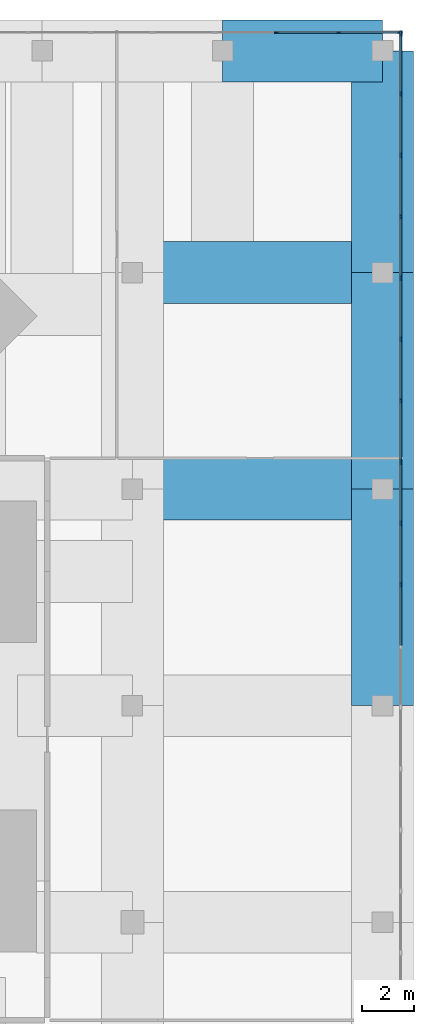
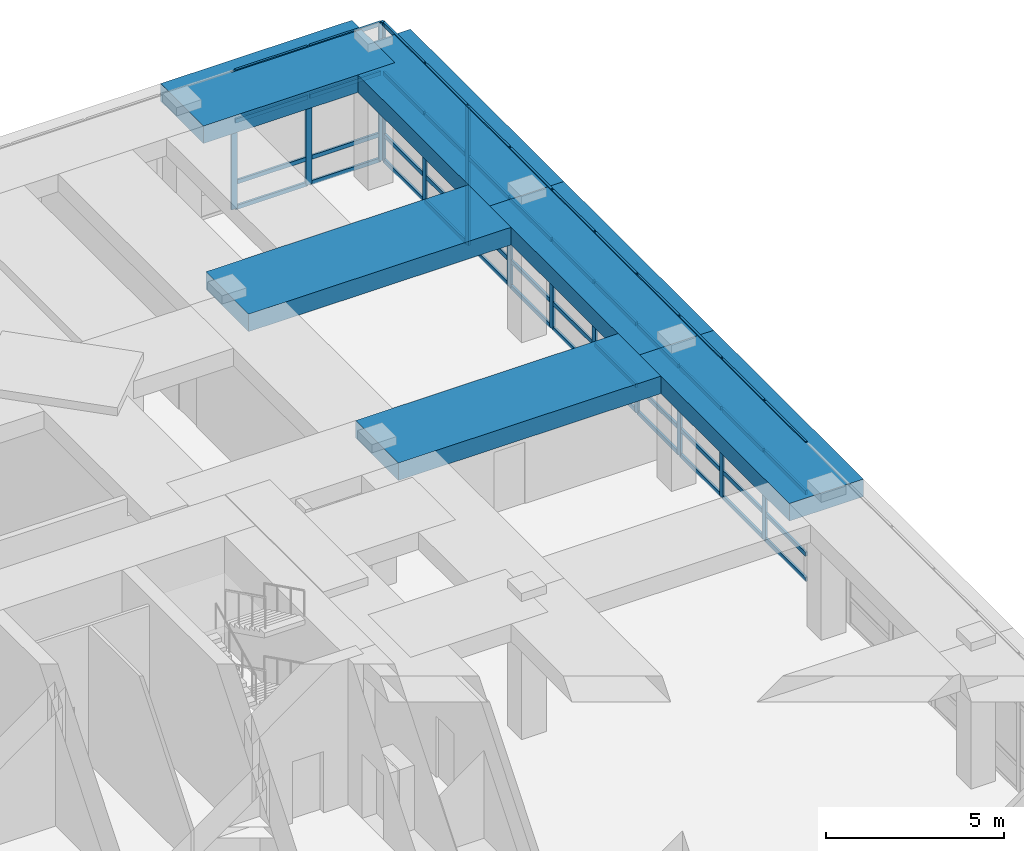
# One storey, part 12 of 22: 61 members, 6 beams, 2 elements without a shape of their own.
"""IFC4 building model written with IfcOpenShell, lengths in metres."""

from ifc_helpers import new_model, si_unit, direction, frame, origin, origin_2d, place, context, subcontext, project, spatial, rectangle, extrude, material, material_profile, profile_set, type_object, element, aggregate, save


model = new_model("IFC4")

# Units and contexts
model_context = context("Model", 3, precision=1e-05, world=origin(), true_north=direction((0.0, 1.0)))
body_context = subcontext(model_context, "Body", "Model", "MODEL_VIEW")
ifc_project = project(units=[si_unit("LENGTHUNIT", "METRE"), si_unit("AREAUNIT", "SQUARE_METRE"), si_unit("VOLUMEUNIT", "CUBIC_METRE"), si_unit("PLANEANGLEUNIT", "RADIAN"), si_unit("MASSUNIT", "GRAM", prefix="KILO")], contexts=[model_context])

# Site, building, storey
site_placement = place(None, origin())
site = spatial("IfcSite", under=ifc_project, at=site_placement, CompositionType="ELEMENT")
building_placement = place(site_placement, origin())
building = spatial("IfcBuilding", under=site, at=building_placement, Name="Jalousie Tower", CompositionType="ELEMENT")
storey_placement = place(building_placement, frame((0.0, 0.0, 6.0)))
storey = spatial("IfcBuildingStorey", under=building, at=storey_placement, Name="L01", CompositionType="ELEMENT", Elevation=6.0)

# Curtain wall, members
ifc_material_1 = material(Name="Aluminium curtain wall", Category="aluminium")
curtain_wall_type = type_object("IfcCurtainWallType", Name="PODIUM WINDOW WALL", PredefinedType="USERDEFINED", material=ifc_material_1)
curtain_wall_1_placement = place(storey_placement, origin())
curtain_wall_1 = element("IfcCurtainWall", 1, at=curtain_wall_1_placement, inside=storey, type_object=curtain_wall_type, Name="Podium Window Wall L01 13", ObjectType="PODIUM WINDOW WALL", PredefinedType="USERDEFINED")
ifc_material_2 = material(Name="Aluminium mullion", Category="aluminium")
ifc_material_profile_1 = material_profile(ifc_material_2, rectangle(XDim=0.070068359375, YDim=0.199951171875, at=origin_2d()), Name="MULLION 70x200")
ifc_profile_set_1 = profile_set([ifc_material_profile_1], Name="Aluminium mullion")
member_type_1 = type_object("IfcMemberType", Name="PODIUM WINDOW WALL MULLION", PredefinedType="MULLION", material=ifc_profile_set_1)
member_1_placement = place(storey_placement, frame((59.91259765625, 24.49609375, 0.0), z_axis=(0.0, 0.0, 1.0), x_axis=(-1.0, 0.0, 0.0)))
member_1 = element("IfcMember", 2, at=member_1_placement, type_object=member_type_1, Name="CW-P mullion 11", PredefinedType="MULLION", context=body_context, shape_type="SweptSolid", body=[
    extrude(rectangle(XDim=0.070068359375, YDim=0.199951171875, at=origin_2d()), origin(), (0.0, 0.0, 1.0), 4.719970703125),
])
member_2_placement = place(storey_placement, frame((59.91259765625, 26.875732421875, 0.0), z_axis=(0.0, 0.0, 1.0), x_axis=(-1.0, 0.0, 0.0)))
member_2 = element("IfcMember", 3, at=member_2_placement, type_object=member_type_1, Name="CW-P mullion 12", PredefinedType="MULLION", context=body_context, shape_type="SweptSolid", body=[
    extrude(rectangle(XDim=0.070068359375, YDim=0.199951171875, at=origin_2d()), origin(), (0.0, 0.0, 1.0), 4.719970703125),
])
member_3_placement = place(storey_placement, frame((59.91259765625, 29.25537109375, 0.0), z_axis=(0.0, 0.0, 1.0), x_axis=(-1.0, 0.0, 0.0)))
member_3 = element("IfcMember", 4, at=member_3_placement, type_object=member_type_1, Name="CW-P mullion 13", PredefinedType="MULLION", context=body_context, shape_type="SweptSolid", body=[
    extrude(rectangle(XDim=0.070068359375, YDim=0.199951171875, at=origin_2d()), origin(), (0.0, 0.0, 1.0), 4.719970703125),
])
member_4_placement = place(storey_placement, frame((59.91259765625, 31.634765625, 0.0), z_axis=(0.0, 0.0, 1.0), x_axis=(-1.0, 0.0, 0.0)))
member_4 = element("IfcMember", 5, at=member_4_placement, type_object=member_type_1, Name="CW-P mullion 14", PredefinedType="MULLION", context=body_context, shape_type="SweptSolid", body=[
    extrude(rectangle(XDim=0.070068359375, YDim=0.199951171875, at=origin_2d()), origin(), (0.0, 0.0, 1.0), 4.719970703125),
])
member_5_placement = place(storey_placement, frame((59.91259765625, 34.014404296875, 0.0), z_axis=(0.0, 0.0, 1.0), x_axis=(-1.0, 0.0, 0.0)))
member_5 = element("IfcMember", 6, at=member_5_placement, type_object=member_type_1, Name="CW-P mullion 15", PredefinedType="MULLION", context=body_context, shape_type="SweptSolid", body=[
    extrude(rectangle(XDim=0.070068359375, YDim=0.199951171875, at=origin_2d()), origin(), (0.0, 0.0, 1.0), 4.719970703125),
])
member_6_placement = place(storey_placement, frame((59.91259765625, 36.39404296875, 0.0), z_axis=(0.0, 0.0, 1.0), x_axis=(-1.0, 0.0, 0.0)))
member_6 = element("IfcMember", 7, at=member_6_placement, type_object=member_type_1, Name="CW-P mullion 16", PredefinedType="MULLION", context=body_context, shape_type="SweptSolid", body=[
    extrude(rectangle(XDim=0.070068359375, YDim=0.199951171875, at=origin_2d()), origin(), (0.0, 0.0, 1.0), 4.719970703125),
])
member_7_placement = place(storey_placement, frame((59.91259765625, 38.773681640625, 0.0), z_axis=(0.0, 0.0, 1.0), x_axis=(-1.0, 0.0, 0.0)))
member_7 = element("IfcMember", 8, at=member_7_placement, type_object=member_type_1, Name="CW-P mullion 17", PredefinedType="MULLION", context=body_context, shape_type="SweptSolid", body=[
    extrude(rectangle(XDim=0.070068359375, YDim=0.199951171875, at=origin_2d()), origin(), (0.0, 0.0, 1.0), 4.719970703125),
])
member_8_placement = place(storey_placement, frame((59.91259765625, 41.1533203125, 0.0), z_axis=(0.0, 0.0, 1.0), x_axis=(-1.0, 0.0, 0.0)))
member_8 = element("IfcMember", 9, at=member_8_placement, type_object=member_type_1, Name="CW-P mullion 18", PredefinedType="MULLION", context=body_context, shape_type="SweptSolid", body=[
    extrude(rectangle(XDim=0.070068359375, YDim=0.199951171875, at=origin_2d()), origin(), (0.0, 0.0, 1.0), 4.719970703125),
])
member_9_placement = place(storey_placement, frame((59.91259765625, 43.532958984375, 0.0), z_axis=(0.0, 0.0, 1.0), x_axis=(-1.0, 0.0, 0.0)))
member_9 = element("IfcMember", 10, at=member_9_placement, type_object=member_type_1, Name="CW-P mullion 19", PredefinedType="MULLION", context=body_context, shape_type="SweptSolid", body=[
    extrude(rectangle(XDim=0.070068359375, YDim=0.199951171875, at=origin_2d()), origin(), (0.0, 0.0, 1.0), 4.719970703125),
])
member_10_placement = place(storey_placement, frame((59.91259765625, 45.87744140625, 0.0), z_axis=(0.0, 0.0, 1.0), x_axis=(-1.0, 0.0, 0.0)))
member_10 = element("IfcMember", 11, at=member_10_placement, type_object=member_type_1, Name="CW-P mullion 20", PredefinedType="MULLION", context=body_context, shape_type="SweptSolid", body=[
    extrude(rectangle(XDim=0.070068359375, YDim=0.199951171875, at=origin_2d()), origin(), (0.0, 0.0, 1.0), 4.719970703125),
])

curtain_wall_2_placement = place(storey_placement, origin())
curtain_wall_2 = element("IfcCurtainWall", 12, at=curtain_wall_2_placement, inside=storey, type_object=curtain_wall_type, Name="Podium Window Wall L01 21", ObjectType="PODIUM WINDOW WALL", PredefinedType="USERDEFINED")
member_11_placement = place(storey_placement, frame((59.87744140625, 45.91259765625, 0.0), z_axis=(0.0, 0.0, 1.0), x_axis=(0.0, -1.0, 0.0)))
member_11 = element("IfcMember", 13, at=member_11_placement, type_object=member_type_1, Name="CW-P mullion 1", PredefinedType="MULLION", context=body_context, shape_type="SweptSolid", body=[
    extrude(rectangle(XDim=0.070068359375, YDim=0.199951171875, at=origin_2d()), origin(), (0.0, 0.0, 1.0), 4.719970703125),
])
member_12_placement = place(storey_placement, frame((57.504638671875, 45.91259765625, 0.0), z_axis=(0.0, 0.0, 1.0), x_axis=(0.0, -1.0, 0.0)))
member_12 = element("IfcMember", 14, at=member_12_placement, type_object=member_type_1, Name="CW-P mullion 2", PredefinedType="MULLION", context=body_context, shape_type="SweptSolid", body=[
    extrude(rectangle(XDim=0.070068359375, YDim=0.199951171875, at=origin_2d()), origin(), (0.0, 0.0, 1.0), 4.719970703125),
])
member_13_placement = place(storey_placement, frame((55.096923828125, 45.91259765625, 0.0), z_axis=(0.0, 0.0, 1.0), x_axis=(0.0, -1.0, 0.0)))
member_13 = element("IfcMember", 15, at=member_13_placement, type_object=member_type_1, Name="CW-P mullion 3", PredefinedType="MULLION", context=body_context, shape_type="SweptSolid", body=[
    extrude(rectangle(XDim=0.070068359375, YDim=0.199951171875, at=origin_2d()), origin(), (0.0, 0.0, 1.0), 4.719970703125),
])

# Member
ifc_material_3 = material(Name="Aluminium transom", Category="aluminium")
ifc_material_profile_2 = material_profile(ifc_material_3, rectangle(XDim=0.070068359375, YDim=0.139892578125, at=origin_2d()), Name="TRANSOM 70x140")
ifc_profile_set_2 = profile_set([ifc_material_profile_2], Name="Aluminium transom")
member_type_2 = type_object("IfcMemberType", Name="PODIUM WINDOW WALL TRANSOM", PredefinedType="USERDEFINED", material=ifc_profile_set_2)
member_14_placement = place(storey_placement, frame((59.91259765625, 22.1513671875, 0.034912109375), z_axis=(0.0, 1.0, 0.0), x_axis=(-1.0, 0.0, 0.0)))
member_14 = element("IfcMember", 16, at=member_14_placement, type_object=member_type_2, Name="CW-P transom 10.1", ObjectType="TRANSOM", PredefinedType="USERDEFINED", context=body_context, shape_type="SweptSolid", body=[
    extrude(rectangle(XDim=0.070068359375, YDim=0.139892578125, at=origin_2d()), origin(), (0.0, 0.0, 1.0), 2.3095703125),
])

member_15_placement = place(storey_placement, frame((59.91259765625, 22.1513671875, 0.89990234375), z_axis=(0.0, 1.0, 0.0), x_axis=(-1.0, 0.0, 0.0)))
member_15 = element("IfcMember", 17, at=member_15_placement, type_object=member_type_2, Name="CW-P transom 10.2", ObjectType="TRANSOM", PredefinedType="USERDEFINED", context=body_context, shape_type="SweptSolid", body=[
    extrude(rectangle(XDim=0.070068359375, YDim=0.139892578125, at=origin_2d()), origin(), (0.0, 0.0, 1.0), 2.3095703125),
])

member_16_placement = place(storey_placement, frame((59.91259765625, 22.1513671875, 3.0), z_axis=(0.0, 1.0, 0.0), x_axis=(-1.0, 0.0, 0.0)))
member_16 = element("IfcMember", 18, at=member_16_placement, type_object=member_type_2, Name="CW-P transom 10.3", ObjectType="TRANSOM", PredefinedType="USERDEFINED", context=body_context, shape_type="SweptSolid", body=[
    extrude(rectangle(XDim=0.070068359375, YDim=0.139892578125, at=origin_2d()), origin(), (0.0, 0.0, 1.0), 2.3095703125),
])

member_17_placement = place(storey_placement, frame((59.91259765625, 22.1513671875, 4.68505859375), z_axis=(0.0, 1.0, 0.0), x_axis=(-1.0, 0.0, 0.0)))
member_17 = element("IfcMember", 19, at=member_17_placement, type_object=member_type_2, Name="CW-P transom 10.4", ObjectType="TRANSOM", PredefinedType="USERDEFINED", context=body_context, shape_type="SweptSolid", body=[
    extrude(rectangle(XDim=0.070068359375, YDim=0.139892578125, at=origin_2d()), origin(), (0.0, 0.0, 1.0), 2.3095703125),
])

member_18_placement = place(storey_placement, frame((59.91259765625, 24.531005859375, 0.034912109375), z_axis=(0.0, 1.0, 0.0), x_axis=(-1.0, 0.0, 0.0)))
member_18 = element("IfcMember", 20, at=member_18_placement, type_object=member_type_2, Name="CW-P transom 11.1", ObjectType="TRANSOM", PredefinedType="USERDEFINED", context=body_context, shape_type="SweptSolid", body=[
    extrude(rectangle(XDim=0.070068359375, YDim=0.139892578125, at=origin_2d()), origin(), (0.0, 0.0, 1.0), 2.3095703125),
])

member_19_placement = place(storey_placement, frame((59.91259765625, 24.531005859375, 0.89990234375), z_axis=(0.0, 1.0, 0.0), x_axis=(-1.0, 0.0, 0.0)))
member_19 = element("IfcMember", 21, at=member_19_placement, type_object=member_type_2, Name="CW-P transom 11.2", ObjectType="TRANSOM", PredefinedType="USERDEFINED", context=body_context, shape_type="SweptSolid", body=[
    extrude(rectangle(XDim=0.070068359375, YDim=0.139892578125, at=origin_2d()), origin(), (0.0, 0.0, 1.0), 2.3095703125),
])

member_20_placement = place(storey_placement, frame((59.91259765625, 24.531005859375, 3.0), z_axis=(0.0, 1.0, 0.0), x_axis=(-1.0, 0.0, 0.0)))
member_20 = element("IfcMember", 22, at=member_20_placement, type_object=member_type_2, Name="CW-P transom 11.3", ObjectType="TRANSOM", PredefinedType="USERDEFINED", context=body_context, shape_type="SweptSolid", body=[
    extrude(rectangle(XDim=0.070068359375, YDim=0.139892578125, at=origin_2d()), origin(), (0.0, 0.0, 1.0), 2.3095703125),
])

member_21_placement = place(storey_placement, frame((59.91259765625, 24.531005859375, 4.68505859375), z_axis=(0.0, 1.0, 0.0), x_axis=(-1.0, 0.0, 0.0)))
member_21 = element("IfcMember", 23, at=member_21_placement, type_object=member_type_2, Name="CW-P transom 11.4", ObjectType="TRANSOM", PredefinedType="USERDEFINED", context=body_context, shape_type="SweptSolid", body=[
    extrude(rectangle(XDim=0.070068359375, YDim=0.139892578125, at=origin_2d()), origin(), (0.0, 0.0, 1.0), 2.3095703125),
])

member_22_placement = place(storey_placement, frame((59.91259765625, 26.91064453125, 0.034912109375), z_axis=(0.0, 1.0, 0.0), x_axis=(-1.0, 0.0, 0.0)))
member_22 = element("IfcMember", 24, at=member_22_placement, type_object=member_type_2, Name="CW-P transom 12.1", ObjectType="TRANSOM", PredefinedType="USERDEFINED", context=body_context, shape_type="SweptSolid", body=[
    extrude(rectangle(XDim=0.070068359375, YDim=0.139892578125, at=origin_2d()), origin(), (0.0, 0.0, 1.0), 2.3095703125),
])

member_23_placement = place(storey_placement, frame((59.91259765625, 26.91064453125, 0.89990234375), z_axis=(0.0, 1.0, 0.0), x_axis=(-1.0, 0.0, 0.0)))
member_23 = element("IfcMember", 25, at=member_23_placement, type_object=member_type_2, Name="CW-P transom 12.2", ObjectType="TRANSOM", PredefinedType="USERDEFINED", context=body_context, shape_type="SweptSolid", body=[
    extrude(rectangle(XDim=0.070068359375, YDim=0.139892578125, at=origin_2d()), origin(), (0.0, 0.0, 1.0), 2.3095703125),
])

member_24_placement = place(storey_placement, frame((59.91259765625, 26.91064453125, 3.0), z_axis=(0.0, 1.0, 0.0), x_axis=(-1.0, 0.0, 0.0)))
member_24 = element("IfcMember", 26, at=member_24_placement, type_object=member_type_2, Name="CW-P transom 12.3", ObjectType="TRANSOM", PredefinedType="USERDEFINED", context=body_context, shape_type="SweptSolid", body=[
    extrude(rectangle(XDim=0.070068359375, YDim=0.139892578125, at=origin_2d()), origin(), (0.0, 0.0, 1.0), 2.3095703125),
])

member_25_placement = place(storey_placement, frame((59.91259765625, 26.91064453125, 4.68505859375), z_axis=(0.0, 1.0, 0.0), x_axis=(-1.0, 0.0, 0.0)))
member_25 = element("IfcMember", 27, at=member_25_placement, type_object=member_type_2, Name="CW-P transom 12.4", ObjectType="TRANSOM", PredefinedType="USERDEFINED", context=body_context, shape_type="SweptSolid", body=[
    extrude(rectangle(XDim=0.070068359375, YDim=0.139892578125, at=origin_2d()), origin(), (0.0, 0.0, 1.0), 2.3095703125),
])

member_26_placement = place(storey_placement, frame((59.91259765625, 29.290283203125, 0.034912109375), z_axis=(0.0, 1.0, 0.0), x_axis=(-1.0, 0.0, 0.0)))
member_26 = element("IfcMember", 28, at=member_26_placement, type_object=member_type_2, Name="CW-P transom 13.1", ObjectType="TRANSOM", PredefinedType="USERDEFINED", context=body_context, shape_type="SweptSolid", body=[
    extrude(rectangle(XDim=0.070068359375, YDim=0.139892578125, at=origin_2d()), origin(), (0.0, 0.0, 1.0), 2.3095703125),
])

member_27_placement = place(storey_placement, frame((59.91259765625, 29.290283203125, 0.89990234375), z_axis=(0.0, 1.0, 0.0), x_axis=(-1.0, 0.0, 0.0)))
member_27 = element("IfcMember", 29, at=member_27_placement, type_object=member_type_2, Name="CW-P transom 13.2", ObjectType="TRANSOM", PredefinedType="USERDEFINED", context=body_context, shape_type="SweptSolid", body=[
    extrude(rectangle(XDim=0.070068359375, YDim=0.139892578125, at=origin_2d()), origin(), (0.0, 0.0, 1.0), 2.3095703125),
])

member_28_placement = place(storey_placement, frame((59.91259765625, 29.290283203125, 3.0), z_axis=(0.0, 1.0, 0.0), x_axis=(-1.0, 0.0, 0.0)))
member_28 = element("IfcMember", 30, at=member_28_placement, type_object=member_type_2, Name="CW-P transom 13.3", ObjectType="TRANSOM", PredefinedType="USERDEFINED", context=body_context, shape_type="SweptSolid", body=[
    extrude(rectangle(XDim=0.070068359375, YDim=0.139892578125, at=origin_2d()), origin(), (0.0, 0.0, 1.0), 2.3095703125),
])

member_29_placement = place(storey_placement, frame((59.91259765625, 29.290283203125, 4.68505859375), z_axis=(0.0, 1.0, 0.0), x_axis=(-1.0, 0.0, 0.0)))
member_29 = element("IfcMember", 31, at=member_29_placement, type_object=member_type_2, Name="CW-P transom 13.4", ObjectType="TRANSOM", PredefinedType="USERDEFINED", context=body_context, shape_type="SweptSolid", body=[
    extrude(rectangle(XDim=0.070068359375, YDim=0.139892578125, at=origin_2d()), origin(), (0.0, 0.0, 1.0), 2.3095703125),
])

member_30_placement = place(storey_placement, frame((59.91259765625, 31.669921875, 0.034912109375), z_axis=(0.0, 1.0, 0.0), x_axis=(-1.0, 0.0, 0.0)))
member_30 = element("IfcMember", 32, at=member_30_placement, type_object=member_type_2, Name="CW-P transom 14.1", ObjectType="TRANSOM", PredefinedType="USERDEFINED", context=body_context, shape_type="SweptSolid", body=[
    extrude(rectangle(XDim=0.070068359375, YDim=0.139892578125, at=origin_2d()), origin(), (0.0, 0.0, 1.0), 2.3095703125),
])

member_31_placement = place(storey_placement, frame((59.91259765625, 31.669921875, 0.89990234375), z_axis=(0.0, 1.0, 0.0), x_axis=(-1.0, 0.0, 0.0)))
member_31 = element("IfcMember", 33, at=member_31_placement, type_object=member_type_2, Name="CW-P transom 14.2", ObjectType="TRANSOM", PredefinedType="USERDEFINED", context=body_context, shape_type="SweptSolid", body=[
    extrude(rectangle(XDim=0.070068359375, YDim=0.139892578125, at=origin_2d()), origin(), (0.0, 0.0, 1.0), 2.3095703125),
])

member_32_placement = place(storey_placement, frame((59.91259765625, 31.669921875, 3.0), z_axis=(0.0, 1.0, 0.0), x_axis=(-1.0, 0.0, 0.0)))
member_32 = element("IfcMember", 34, at=member_32_placement, type_object=member_type_2, Name="CW-P transom 14.3", ObjectType="TRANSOM", PredefinedType="USERDEFINED", context=body_context, shape_type="SweptSolid", body=[
    extrude(rectangle(XDim=0.070068359375, YDim=0.139892578125, at=origin_2d()), origin(), (0.0, 0.0, 1.0), 2.3095703125),
])

member_33_placement = place(storey_placement, frame((59.91259765625, 31.669921875, 4.68505859375), z_axis=(0.0, 1.0, 0.0), x_axis=(-1.0, 0.0, 0.0)))
member_33 = element("IfcMember", 35, at=member_33_placement, type_object=member_type_2, Name="CW-P transom 14.4", ObjectType="TRANSOM", PredefinedType="USERDEFINED", context=body_context, shape_type="SweptSolid", body=[
    extrude(rectangle(XDim=0.070068359375, YDim=0.139892578125, at=origin_2d()), origin(), (0.0, 0.0, 1.0), 2.3095703125),
])

member_34_placement = place(storey_placement, frame((59.91259765625, 34.049560546875, 0.034912109375), z_axis=(0.0, 1.0, 0.0), x_axis=(-1.0, 0.0, 0.0)))
member_34 = element("IfcMember", 36, at=member_34_placement, type_object=member_type_2, Name="CW-P transom 15.1", ObjectType="TRANSOM", PredefinedType="USERDEFINED", context=body_context, shape_type="SweptSolid", body=[
    extrude(rectangle(XDim=0.070068359375, YDim=0.139892578125, at=origin_2d()), origin(), (0.0, 0.0, 1.0), 2.3095703125),
])

member_35_placement = place(storey_placement, frame((59.91259765625, 34.049560546875, 0.89990234375), z_axis=(0.0, 1.0, 0.0), x_axis=(-1.0, 0.0, 0.0)))
member_35 = element("IfcMember", 37, at=member_35_placement, type_object=member_type_2, Name="CW-P transom 15.2", ObjectType="TRANSOM", PredefinedType="USERDEFINED", context=body_context, shape_type="SweptSolid", body=[
    extrude(rectangle(XDim=0.070068359375, YDim=0.139892578125, at=origin_2d()), origin(), (0.0, 0.0, 1.0), 2.3095703125),
])

member_36_placement = place(storey_placement, frame((59.91259765625, 34.049560546875, 3.0), z_axis=(0.0, 1.0, 0.0), x_axis=(-1.0, 0.0, 0.0)))
member_36 = element("IfcMember", 38, at=member_36_placement, type_object=member_type_2, Name="CW-P transom 15.3", ObjectType="TRANSOM", PredefinedType="USERDEFINED", context=body_context, shape_type="SweptSolid", body=[
    extrude(rectangle(XDim=0.070068359375, YDim=0.139892578125, at=origin_2d()), origin(), (0.0, 0.0, 1.0), 2.3095703125),
])

member_37_placement = place(storey_placement, frame((59.91259765625, 34.049560546875, 4.68505859375), z_axis=(0.0, 1.0, 0.0), x_axis=(-1.0, 0.0, 0.0)))
member_37 = element("IfcMember", 39, at=member_37_placement, type_object=member_type_2, Name="CW-P transom 15.4", ObjectType="TRANSOM", PredefinedType="USERDEFINED", context=body_context, shape_type="SweptSolid", body=[
    extrude(rectangle(XDim=0.070068359375, YDim=0.139892578125, at=origin_2d()), origin(), (0.0, 0.0, 1.0), 2.3095703125),
])

member_38_placement = place(storey_placement, frame((59.91259765625, 36.42919921875, 0.034912109375), z_axis=(0.0, 1.0, 0.0), x_axis=(-1.0, 0.0, 0.0)))
member_38 = element("IfcMember", 40, at=member_38_placement, type_object=member_type_2, Name="CW-P transom 16.1", ObjectType="TRANSOM", PredefinedType="USERDEFINED", context=body_context, shape_type="SweptSolid", body=[
    extrude(rectangle(XDim=0.070068359375, YDim=0.139892578125, at=origin_2d()), origin(), (0.0, 0.0, 1.0), 2.3095703125),
])

member_39_placement = place(storey_placement, frame((59.91259765625, 36.42919921875, 0.89990234375), z_axis=(0.0, 1.0, 0.0), x_axis=(-1.0, 0.0, 0.0)))
member_39 = element("IfcMember", 41, at=member_39_placement, type_object=member_type_2, Name="CW-P transom 16.2", ObjectType="TRANSOM", PredefinedType="USERDEFINED", context=body_context, shape_type="SweptSolid", body=[
    extrude(rectangle(XDim=0.070068359375, YDim=0.139892578125, at=origin_2d()), origin(), (0.0, 0.0, 1.0), 2.3095703125),
])

member_40_placement = place(storey_placement, frame((59.91259765625, 36.42919921875, 3.0), z_axis=(0.0, 1.0, 0.0), x_axis=(-1.0, 0.0, 0.0)))
member_40 = element("IfcMember", 42, at=member_40_placement, type_object=member_type_2, Name="CW-P transom 16.3", ObjectType="TRANSOM", PredefinedType="USERDEFINED", context=body_context, shape_type="SweptSolid", body=[
    extrude(rectangle(XDim=0.070068359375, YDim=0.139892578125, at=origin_2d()), origin(), (0.0, 0.0, 1.0), 2.3095703125),
])

member_41_placement = place(storey_placement, frame((59.91259765625, 36.42919921875, 4.68505859375), z_axis=(0.0, 1.0, 0.0), x_axis=(-1.0, 0.0, 0.0)))
member_41 = element("IfcMember", 43, at=member_41_placement, type_object=member_type_2, Name="CW-P transom 16.4", ObjectType="TRANSOM", PredefinedType="USERDEFINED", context=body_context, shape_type="SweptSolid", body=[
    extrude(rectangle(XDim=0.070068359375, YDim=0.139892578125, at=origin_2d()), origin(), (0.0, 0.0, 1.0), 2.3095703125),
])

member_42_placement = place(storey_placement, frame((59.91259765625, 38.80859375, 0.034912109375), z_axis=(0.0, 1.0, 0.0), x_axis=(-1.0, 0.0, 0.0)))
member_42 = element("IfcMember", 44, at=member_42_placement, type_object=member_type_2, Name="CW-P transom 17.1", ObjectType="TRANSOM", PredefinedType="USERDEFINED", context=body_context, shape_type="SweptSolid", body=[
    extrude(rectangle(XDim=0.070068359375, YDim=0.139892578125, at=origin_2d()), origin(), (0.0, 0.0, 1.0), 2.309814453125),
])

member_43_placement = place(storey_placement, frame((59.91259765625, 38.80859375, 0.89990234375), z_axis=(0.0, 1.0, 0.0), x_axis=(-1.0, 0.0, 0.0)))
member_43 = element("IfcMember", 45, at=member_43_placement, type_object=member_type_2, Name="CW-P transom 17.2", ObjectType="TRANSOM", PredefinedType="USERDEFINED", context=body_context, shape_type="SweptSolid", body=[
    extrude(rectangle(XDim=0.070068359375, YDim=0.139892578125, at=origin_2d()), origin(), (0.0, 0.0, 1.0), 2.309814453125),
])

member_44_placement = place(storey_placement, frame((59.91259765625, 38.80859375, 3.0), z_axis=(0.0, 1.0, 0.0), x_axis=(-1.0, 0.0, 0.0)))
member_44 = element("IfcMember", 46, at=member_44_placement, type_object=member_type_2, Name="CW-P transom 17.3", ObjectType="TRANSOM", PredefinedType="USERDEFINED", context=body_context, shape_type="SweptSolid", body=[
    extrude(rectangle(XDim=0.070068359375, YDim=0.139892578125, at=origin_2d()), origin(), (0.0, 0.0, 1.0), 2.309814453125),
])

member_45_placement = place(storey_placement, frame((59.91259765625, 38.80859375, 4.68505859375), z_axis=(0.0, 1.0, 0.0), x_axis=(-1.0, 0.0, 0.0)))
member_45 = element("IfcMember", 47, at=member_45_placement, type_object=member_type_2, Name="CW-P transom 17.4", ObjectType="TRANSOM", PredefinedType="USERDEFINED", context=body_context, shape_type="SweptSolid", body=[
    extrude(rectangle(XDim=0.070068359375, YDim=0.139892578125, at=origin_2d()), origin(), (0.0, 0.0, 1.0), 2.309814453125),
])

member_46_placement = place(storey_placement, frame((59.91259765625, 41.188232421875, 0.034912109375), z_axis=(0.0, 1.0, 0.0), x_axis=(-1.0, 0.0, 0.0)))
member_46 = element("IfcMember", 48, at=member_46_placement, type_object=member_type_2, Name="CW-P transom 18.1", ObjectType="TRANSOM", PredefinedType="USERDEFINED", context=body_context, shape_type="SweptSolid", body=[
    extrude(rectangle(XDim=0.070068359375, YDim=0.139892578125, at=origin_2d()), origin(), (0.0, 0.0, 1.0), 2.3095703125),
])

member_47_placement = place(storey_placement, frame((59.91259765625, 41.188232421875, 0.89990234375), z_axis=(0.0, 1.0, 0.0), x_axis=(-1.0, 0.0, 0.0)))
member_47 = element("IfcMember", 49, at=member_47_placement, type_object=member_type_2, Name="CW-P transom 18.2", ObjectType="TRANSOM", PredefinedType="USERDEFINED", context=body_context, shape_type="SweptSolid", body=[
    extrude(rectangle(XDim=0.070068359375, YDim=0.139892578125, at=origin_2d()), origin(), (0.0, 0.0, 1.0), 2.3095703125),
])

member_48_placement = place(storey_placement, frame((59.91259765625, 41.188232421875, 3.0), z_axis=(0.0, 1.0, 0.0), x_axis=(-1.0, 0.0, 0.0)))
member_48 = element("IfcMember", 50, at=member_48_placement, type_object=member_type_2, Name="CW-P transom 18.3", ObjectType="TRANSOM", PredefinedType="USERDEFINED", context=body_context, shape_type="SweptSolid", body=[
    extrude(rectangle(XDim=0.070068359375, YDim=0.139892578125, at=origin_2d()), origin(), (0.0, 0.0, 1.0), 2.3095703125),
])

member_49_placement = place(storey_placement, frame((59.91259765625, 41.188232421875, 4.68505859375), z_axis=(0.0, 1.0, 0.0), x_axis=(-1.0, 0.0, 0.0)))
member_49 = element("IfcMember", 51, at=member_49_placement, type_object=member_type_2, Name="CW-P transom 18.4", ObjectType="TRANSOM", PredefinedType="USERDEFINED", context=body_context, shape_type="SweptSolid", body=[
    extrude(rectangle(XDim=0.070068359375, YDim=0.139892578125, at=origin_2d()), origin(), (0.0, 0.0, 1.0), 2.3095703125),
])

member_50_placement = place(storey_placement, frame((59.91259765625, 43.56787109375, 0.034912109375), z_axis=(0.0, 1.0, 0.0), x_axis=(-1.0, 0.0, 0.0)))
member_50 = element("IfcMember", 52, at=member_50_placement, type_object=member_type_2, Name="CW-P transom 19.1", ObjectType="TRANSOM", PredefinedType="USERDEFINED", context=body_context, shape_type="SweptSolid", body=[
    extrude(rectangle(XDim=0.070068359375, YDim=0.139892578125, at=origin_2d()), origin(), (0.0, 0.0, 1.0), 2.274658203125),
])

member_51_placement = place(storey_placement, frame((59.91259765625, 43.56787109375, 0.89990234375), z_axis=(0.0, 1.0, 0.0), x_axis=(-1.0, 0.0, 0.0)))
member_51 = element("IfcMember", 53, at=member_51_placement, type_object=member_type_2, Name="CW-P transom 19.2", ObjectType="TRANSOM", PredefinedType="USERDEFINED", context=body_context, shape_type="SweptSolid", body=[
    extrude(rectangle(XDim=0.070068359375, YDim=0.139892578125, at=origin_2d()), origin(), (0.0, 0.0, 1.0), 2.274658203125),
])

member_52_placement = place(storey_placement, frame((59.91259765625, 43.56787109375, 3.0), z_axis=(0.0, 1.0, 0.0), x_axis=(-1.0, 0.0, 0.0)))
member_52 = element("IfcMember", 54, at=member_52_placement, type_object=member_type_2, Name="CW-P transom 19.3", ObjectType="TRANSOM", PredefinedType="USERDEFINED", context=body_context, shape_type="SweptSolid", body=[
    extrude(rectangle(XDim=0.070068359375, YDim=0.139892578125, at=origin_2d()), origin(), (0.0, 0.0, 1.0), 2.274658203125),
])

member_53_placement = place(storey_placement, frame((59.91259765625, 43.56787109375, 4.68505859375), z_axis=(0.0, 1.0, 0.0), x_axis=(-1.0, 0.0, 0.0)))
member_53 = element("IfcMember", 55, at=member_53_placement, type_object=member_type_2, Name="CW-P transom 19.4", ObjectType="TRANSOM", PredefinedType="USERDEFINED", context=body_context, shape_type="SweptSolid", body=[
    extrude(rectangle(XDim=0.070068359375, YDim=0.139892578125, at=origin_2d()), origin(), (0.0, 0.0, 1.0), 2.274658203125),
])

aggregate(curtain_wall_1, [member_1, member_2, member_3, member_4, member_5, member_6, member_7, member_8, member_9, member_10, member_14, member_15, member_16, member_17, member_18, member_19, member_20, member_21, member_22, member_23, member_24, member_25, member_26, member_27, member_28, member_29, member_30, member_31, member_32, member_33, member_34, member_35, member_36, member_37, member_38, member_39, member_40, member_41, member_42, member_43, member_44, member_45, member_46, member_47, member_48, member_49, member_50, member_51, member_52, member_53])

member_54_placement = place(storey_placement, frame((59.842529296875, 45.91259765625, 0.034912109375), z_axis=(-1.0, 0.0, 0.0), x_axis=(0.0, -1.0, 0.0)))
member_54 = element("IfcMember", 56, at=member_54_placement, type_object=member_type_2, Name="CW-P transom 1.1", ObjectType="TRANSOM", PredefinedType="USERDEFINED", context=body_context, shape_type="SweptSolid", body=[
    extrude(rectangle(XDim=0.070068359375, YDim=0.139892578125, at=origin_2d()), origin(), (0.0, 0.0, 1.0), 2.302734375),
])

member_55_placement = place(storey_placement, frame((59.842529296875, 45.91259765625, 0.89990234375), z_axis=(-1.0, 0.0, 0.0), x_axis=(0.0, -1.0, 0.0)))
member_55 = element("IfcMember", 57, at=member_55_placement, type_object=member_type_2, Name="CW-P transom 1.2", ObjectType="TRANSOM", PredefinedType="USERDEFINED", context=body_context, shape_type="SweptSolid", body=[
    extrude(rectangle(XDim=0.070068359375, YDim=0.139892578125, at=origin_2d()), origin(), (0.0, 0.0, 1.0), 2.302734375),
])

member_56_placement = place(storey_placement, frame((59.842529296875, 45.91259765625, 3.0), z_axis=(-1.0, 0.0, 0.0), x_axis=(0.0, -1.0, 0.0)))
member_56 = element("IfcMember", 58, at=member_56_placement, type_object=member_type_2, Name="CW-P transom 1.3", ObjectType="TRANSOM", PredefinedType="USERDEFINED", context=body_context, shape_type="SweptSolid", body=[
    extrude(rectangle(XDim=0.070068359375, YDim=0.139892578125, at=origin_2d()), origin(), (0.0, 0.0, 1.0), 2.302734375),
])

member_57_placement = place(storey_placement, frame((59.842529296875, 45.91259765625, 4.68505859375), z_axis=(-1.0, 0.0, 0.0), x_axis=(0.0, -1.0, 0.0)))
member_57 = element("IfcMember", 59, at=member_57_placement, type_object=member_type_2, Name="CW-P transom 1.4", ObjectType="TRANSOM", PredefinedType="USERDEFINED", context=body_context, shape_type="SweptSolid", body=[
    extrude(rectangle(XDim=0.070068359375, YDim=0.139892578125, at=origin_2d()), origin(), (0.0, 0.0, 1.0), 2.302734375),
])

member_58_placement = place(storey_placement, frame((57.4697265625, 45.91259765625, 0.034912109375), z_axis=(-1.0, 0.0, 0.0), x_axis=(0.0, -1.0, 0.0)))
member_58 = element("IfcMember", 60, at=member_58_placement, type_object=member_type_2, Name="CW-P transom 2.1", ObjectType="TRANSOM", PredefinedType="USERDEFINED", context=body_context, shape_type="SweptSolid", body=[
    extrude(rectangle(XDim=0.070068359375, YDim=0.139892578125, at=origin_2d()), origin(), (0.0, 0.0, 1.0), 2.337646484375),
])

member_59_placement = place(storey_placement, frame((57.4697265625, 45.91259765625, 0.89990234375), z_axis=(-1.0, 0.0, 0.0), x_axis=(0.0, -1.0, 0.0)))
member_59 = element("IfcMember", 61, at=member_59_placement, type_object=member_type_2, Name="CW-P transom 2.2", ObjectType="TRANSOM", PredefinedType="USERDEFINED", context=body_context, shape_type="SweptSolid", body=[
    extrude(rectangle(XDim=0.070068359375, YDim=0.139892578125, at=origin_2d()), origin(), (0.0, 0.0, 1.0), 2.337646484375),
])

member_60_placement = place(storey_placement, frame((57.4697265625, 45.91259765625, 3.0), z_axis=(-1.0, 0.0, 0.0), x_axis=(0.0, -1.0, 0.0)))
member_60 = element("IfcMember", 62, at=member_60_placement, type_object=member_type_2, Name="CW-P transom 2.3", ObjectType="TRANSOM", PredefinedType="USERDEFINED", context=body_context, shape_type="SweptSolid", body=[
    extrude(rectangle(XDim=0.070068359375, YDim=0.139892578125, at=origin_2d()), origin(), (0.0, 0.0, 1.0), 2.337646484375),
])

member_61_placement = place(storey_placement, frame((57.4697265625, 45.91259765625, 4.68505859375), z_axis=(-1.0, 0.0, 0.0), x_axis=(0.0, -1.0, 0.0)))
member_61 = element("IfcMember", 63, at=member_61_placement, type_object=member_type_2, Name="CW-P transom 2.4", ObjectType="TRANSOM", PredefinedType="USERDEFINED", context=body_context, shape_type="SweptSolid", body=[
    extrude(rectangle(XDim=0.070068359375, YDim=0.139892578125, at=origin_2d()), origin(), (0.0, 0.0, 1.0), 2.337646484375),
])

aggregate(curtain_wall_2, [member_11, member_12, member_13, member_54, member_55, member_56, member_57, member_58, member_59, member_60, member_61])

# Beams
ifc_material_4 = material(Name="Concrete f'c 40 MPa", Category="concrete")
ifc_material_profile_3 = material_profile(ifc_material_4, rectangle(XDim=2.39990234375, YDim=0.60009765625, at=origin_2d()), Name="RC 2400x600")
ifc_profile_set_3 = profile_set([ifc_material_profile_3], Name="Concrete f'c 40 MPa")
beam_type = type_object("IfcBeamType", Name="RC BEAM 2400x600", PredefinedType="BEAM", material=ifc_profile_set_3)
for number, where, z_axis, x_axis, name in (
    (64, (49.5, 28.199951171875, 4.419921875), (1.0, 0.0, 0.0), (0.0, 1.0, 0.0), "Floor band beam under L02"),
    (65, (49.5, 36.60009765625, 4.419921875), (1.0, 0.0, 0.0), (0.0, 1.0, 0.0), "Floor band beam under L02"),
):
    element("IfcBeam", number, at=place(storey_placement, frame(where, z_axis=z_axis, x_axis=x_axis)), inside=storey, type_object=beam_type, Name=name, PredefinedType="BEAM", context=body_context, shape_type="SweptSolid", body=[
        extrude(rectangle(XDim=2.39990234375, YDim=0.60009765625, at=origin_2d()), origin(), (0.0, 0.0, 1.0), 9.699951171875),
    ])
beam_1_placement = place(storey_placement, frame((53.0, 45.199951171875, 4.419921875), z_axis=(1.0, 0.0, 0.0), x_axis=(0.0, 1.0, 0.0)))
element("IfcBeam", 66, at=beam_1_placement, inside=storey, type_object=beam_type, Name="Floor band beam under L02", PredefinedType="BEAM", context=body_context, shape_type="SweptSolid", body=[
    extrude(rectangle(XDim=2.39990234375, YDim=0.60009765625, at=origin_2d()), origin(), (0.0, 0.0, 1.0), 6.199951171875),
])
beam_2_placement = place(storey_placement, frame((59.199951171875, 19.800048828125, 4.419921875), z_axis=(0.0, 1.0, 0.0), x_axis=(-1.0, 0.0, 0.0)))
element("IfcBeam", 67, at=beam_2_placement, inside=storey, type_object=beam_type, Name="Floor band beam under L02", PredefinedType="BEAM", context=body_context, shape_type="SweptSolid", body=[
    extrude(rectangle(XDim=2.39990234375, YDim=0.60009765625, at=origin_2d()), origin(), (0.0, 0.0, 1.0), 8.39990234375),
])
beam_3_placement = place(storey_placement, frame((59.199951171875, 28.199951171875, 4.419921875), z_axis=(0.0, 1.0, 0.0), x_axis=(-1.0, 0.0, 0.0)))
element("IfcBeam", 68, at=beam_3_placement, inside=storey, type_object=beam_type, Name="Floor band beam under L02", PredefinedType="BEAM", context=body_context, shape_type="SweptSolid", body=[
    extrude(rectangle(XDim=2.39990234375, YDim=0.60009765625, at=origin_2d()), origin(), (0.0, 0.0, 1.0), 8.400146484375),
])
beam_4_placement = place(storey_placement, frame((59.199951171875, 36.60009765625, 4.419921875), z_axis=(0.0, 1.0, 0.0), x_axis=(-1.0, 0.0, 0.0)))
element("IfcBeam", 69, at=beam_4_placement, inside=storey, type_object=beam_type, Name="Floor band beam under L02", PredefinedType="BEAM", context=body_context, shape_type="SweptSolid", body=[
    extrude(rectangle(XDim=2.39990234375, YDim=0.60009765625, at=origin_2d()), origin(), (0.0, 0.0, 1.0), 8.599853515625),
])

save(model, "model.ifc")
